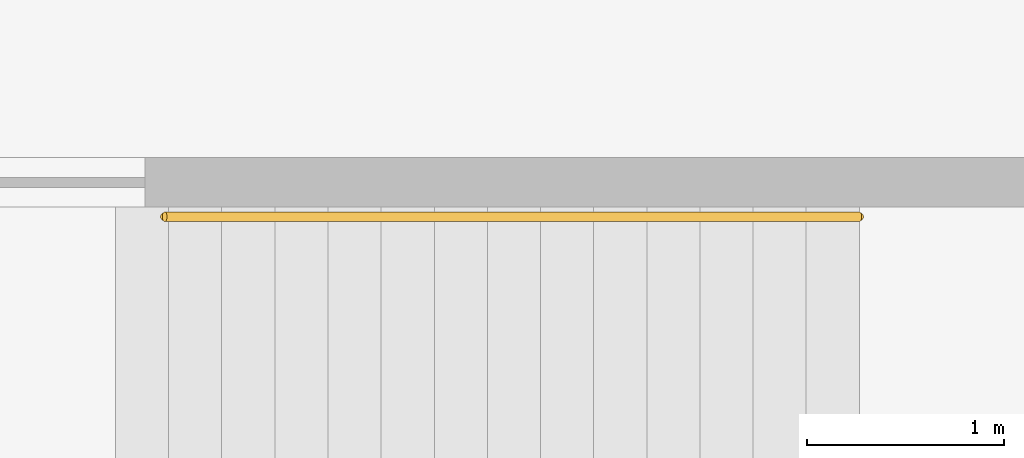
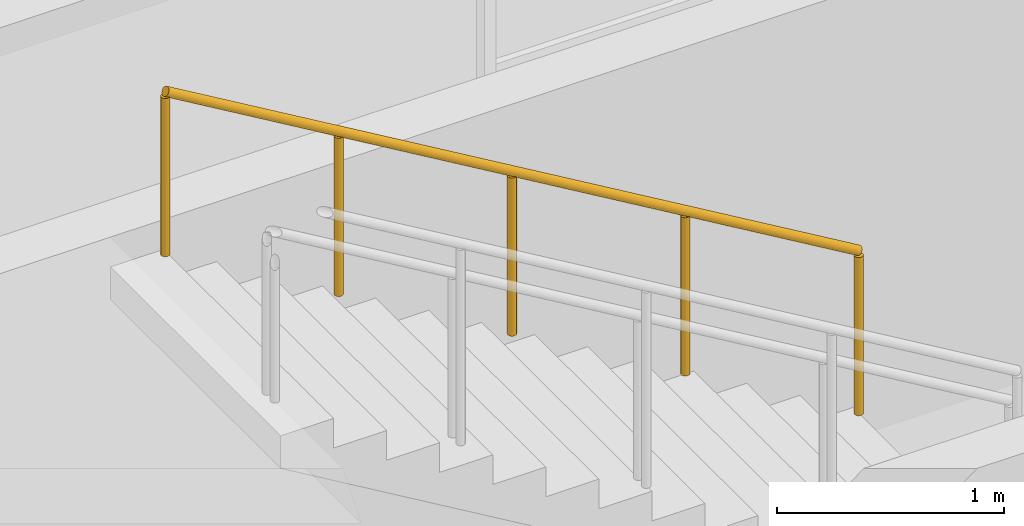
# One storey, part 109 of 110: 1 railing.
"""IFC4 building model written with IfcOpenShell, lengths in metres."""

from ifc_helpers import new_model, si_unit, direction, frame, origin, origin_2d, place, context, subcontext, project, spatial, circle, extrude, material, type_object, element, save


model = new_model("IFC4")

# Units and contexts
model_context = context("Model", 3, precision=1e-05, world=origin(), true_north=direction((0.0, 1.0)))
body_context = subcontext(model_context, "Body", "Model", "MODEL_VIEW")
ifc_project = project(units=[si_unit("LENGTHUNIT", "METRE"), si_unit("AREAUNIT", "SQUARE_METRE"), si_unit("VOLUMEUNIT", "CUBIC_METRE"), si_unit("PLANEANGLEUNIT", "RADIAN"), si_unit("MASSUNIT", "GRAM", prefix="KILO")], contexts=[model_context])

# Site, building, storey
site_placement = place(None, origin())
site = spatial("IfcSite", under=ifc_project, at=site_placement, CompositionType="ELEMENT")
building_placement = place(site_placement, origin())
building = spatial("IfcBuilding", under=site, at=building_placement, Name="Larchfold Concert Hall", CompositionType="ELEMENT")
storey_placement = place(building_placement, origin())
storey = spatial("IfcBuildingStorey", under=building, at=storey_placement, Name="L00", CompositionType="ELEMENT", Elevation=0.0)

# Railing
ifc_material = material(Name="Stainless steel handrail", Category="steel")
railing_type = type_object("IfcRailingType", Name="Stair handrail 900", PredefinedType="HANDRAIL", material=ifc_material)
railing_placement = place(storey_placement, frame((63.830078125, 129.0498046875, 2.56005859375)))
element("IfcRailing", 1, at=railing_placement, inside=storey, type_object=railing_type, Name="Handrail HR0102", PredefinedType="HANDRAIL", context=body_context, shape_type="SweptSolid", body=[
    extrude(circle(Radius=0.02392578125, at=origin_2d()), frame((0.0, 0.0, 0.8759765625), z_axis=(-0.860283801261, 0.0, 0.509815438456), x_axis=(0.0, -1.0, 0.0)), (0.0, 0.0, 1.0), 4.10302734375),
    extrude(circle(Radius=0.02099609375, at=origin_2d()), origin(), (0.0, 0.0, 1.0), 0.851806640625),
    extrude(circle(Radius=0.02099609375, at=origin_2d()), frame((-0.88232421875, 0.0, 0.52294921875)), (0.0, 0.0, 1.0), 0.851806640625),
    extrude(circle(Radius=0.02099609375, at=origin_2d()), frame((-1.764892578125, 0.0, 1.0458984375)), (0.0, 0.0, 1.0), 0.851806640625),
    extrude(circle(Radius=0.02099609375, at=origin_2d()), frame((-2.6474609375, 0.0, 1.56884765625)), (0.0, 0.0, 1.0), 0.851806640625),
    extrude(circle(Radius=0.02099609375, at=origin_2d()), frame((-3.52978515625, 0.0, 2.091796875)), (0.0, 0.0, 1.0), 0.851806640625),
])

save(model, "model.ifc")
